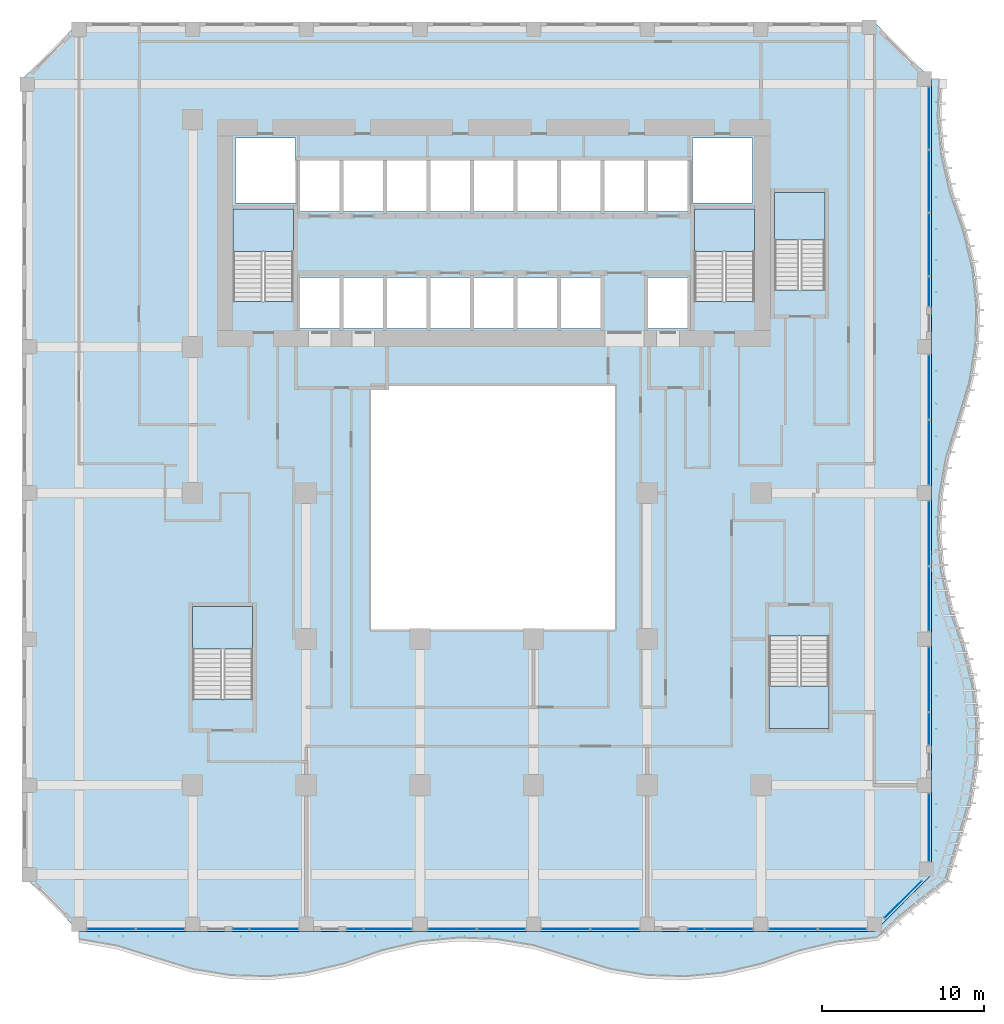
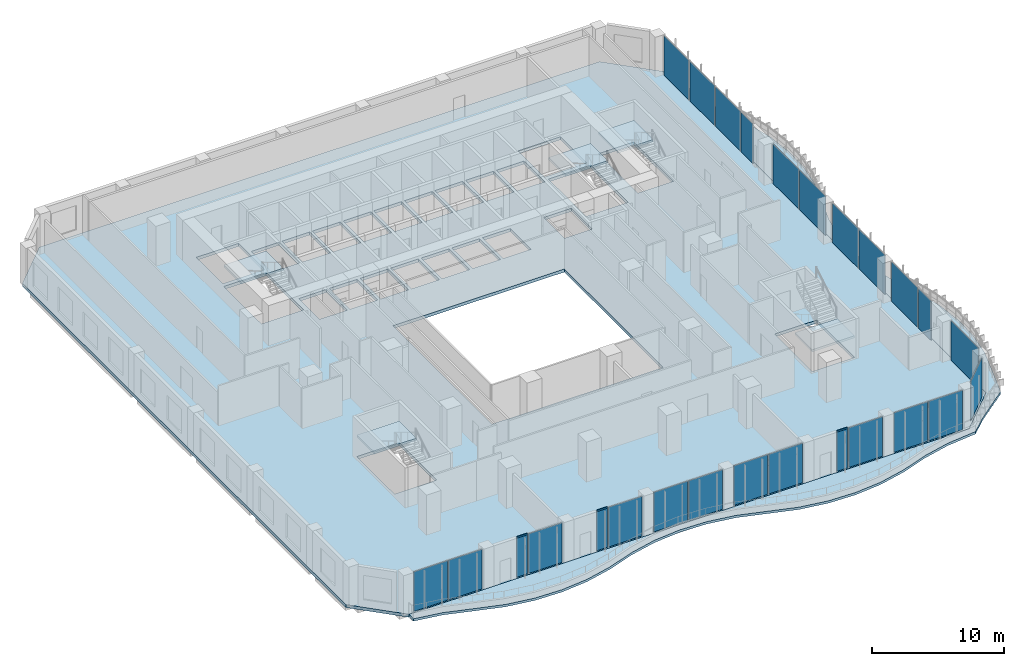
# One storey, part 11 of 27: 26 plates, 7 slabs, 3 members, 31 elements without a shape of their own.
"""IFC4 building model written with IfcOpenShell, lengths in metres."""

from ifc_helpers import new_model, si_unit, direction, frame, origin, origin_2d, place, context, subcontext, project, spatial, polyline, rectangle, outline, extrude, source, transform, mapped, material, layer, layer_set, material_profile, profile_set, type_object, element, aggregate, save


model = new_model("IFC4")

# Units and contexts
model_context = context("Model", 3, precision=1e-05, world=origin(), true_north=direction((0.0, 1.0)))
body_context = subcontext(model_context, "Body", "Model", "MODEL_VIEW")
ifc_project = project(units=[si_unit("LENGTHUNIT", "METRE"), si_unit("AREAUNIT", "SQUARE_METRE"), si_unit("VOLUMEUNIT", "CUBIC_METRE"), si_unit("PLANEANGLEUNIT", "RADIAN"), si_unit("MASSUNIT", "GRAM", prefix="KILO")], contexts=[model_context])

# Site, building, storey
site_placement = place(None, origin())
site = spatial("IfcSite", under=ifc_project, at=site_placement, CompositionType="ELEMENT")
building_placement = place(site_placement, origin())
building = spatial("IfcBuilding", under=site, at=building_placement, Name="Kilnfold Tower and Market Hall", CompositionType="ELEMENT")
storey_placement = place(building_placement, frame((0.0, 0.0, 43.0)))
storey = spatial("IfcBuildingStorey", under=building, at=storey_placement, Name="L09", CompositionType="ELEMENT", Elevation=43.0)

# Curtain wall, member
ifc_material_1 = material(Name="Aluminium and double glazing", Category="aluminium")
curtain_wall_type = type_object("IfcCurtainWallType", Name="CW OF1 VALLEY GLAZING", PredefinedType="NOTDEFINED", material=ifc_material_1)
curtain_wall_1_placement = place(storey_placement, origin())
curtain_wall_1 = element("IfcCurtainWall", 1, at=curtain_wall_1_placement, inside=storey, type_object=curtain_wall_type, Name="Curtain wall CW1 L09 S", PredefinedType="NOTDEFINED")
ifc_material_2 = material(Name="Aluminium", Category="aluminium")
ifc_material_profile = material_profile(ifc_material_2, rectangle(XDim=0.06005859375, YDim=0.139892578125, at=origin_2d()), Name="TRANSOM 60x140")
ifc_profile_set = profile_set([ifc_material_profile], Name="Aluminium")
member_type = type_object("IfcMemberType", Name="TRANSOM 60X140", PredefinedType="USERDEFINED", material=ifc_profile_set)
shared_shape_1 = source(origin(), body_context, "Body", "SweptSolid", [
    extrude(rectangle(XDim=0.06005859375, YDim=0.139892578125, at=origin_2d()), origin(), (0.0, 0.0, 1.0), 0.929931640625),
])
member_1_placement = place(storey_placement, frame((-14.989990234375, -27.85009765625, 3.68994140625), z_axis=(1.0, 0.0, 0.0), x_axis=(0.0, 1.0, 0.0)))
member_1 = element("IfcMember", 2, at=member_1_placement, type_object=member_type, Name="CW1 transom 1.2", ObjectType="TRANSOM", PredefinedType="USERDEFINED", context=body_context, shape_type="MappedRepresentation", body=[
    mapped(shared_shape_1, transform((0.0, 0.0, 0.0))),
])

curtain_wall_2_placement = place(storey_placement, origin())
curtain_wall_2 = element("IfcCurtainWall", 3, at=curtain_wall_2_placement, inside=storey, type_object=curtain_wall_type, Name="Curtain wall CW1 L09 S", PredefinedType="NOTDEFINED")
member_2_placement = place(storey_placement, frame((-7.989990234375, -27.85009765625, 3.68994140625), z_axis=(1.0, 0.0, 0.0), x_axis=(0.0, 1.0, 0.0)))
member_2 = element("IfcMember", 4, at=member_2_placement, type_object=member_type, Name="CW1 transom 1.2", ObjectType="TRANSOM", PredefinedType="USERDEFINED", context=body_context, shape_type="MappedRepresentation", body=[
    mapped(shared_shape_1, transform((0.0, 0.0, 0.0))),
])

curtain_wall_3_placement = place(storey_placement, origin())
curtain_wall_3 = element("IfcCurtainWall", 5, at=curtain_wall_3_placement, inside=storey, type_object=curtain_wall_type, Name="Curtain wall CW1 L09 S", PredefinedType="NOTDEFINED")
member_3_placement = place(storey_placement, frame((13.010009765625, -27.85009765625, 3.68994140625), z_axis=(1.0, 0.0, 0.0), x_axis=(0.0, 1.0, 0.0)))
member_3 = element("IfcMember", 6, at=member_3_placement, type_object=member_type, Name="CW1 transom 1.2", ObjectType="TRANSOM", PredefinedType="USERDEFINED", context=body_context, shape_type="MappedRepresentation", body=[
    mapped(shared_shape_1, transform((0.0, 0.0, 0.0))),
])

# Slab
ifc_material_3 = material(Name="Concrete C45", Category="concrete")
ifc_layer_1 = layer(ifc_material_3, 0.280029296875)
ifc_layer_set_1 = layer_set([ifc_layer_1], Name="Concrete C45")
slab_type_1 = type_object("IfcSlabType", Name="FLOOR SLAB 280", PredefinedType="FLOOR", material=ifc_layer_set_1)
shared_shape_2 = source(origin(), body_context, "Body", "SweptSolid", [
    extrude(outline(polyline([(-24.5, -28.0), (24.5, -28.0), (28.0, -24.5), (28.0, 24.5), (24.5, 28.0), (-24.5, 28.0), (-28.0, 24.5), (-28.0, -24.5), (-24.5, -28.0)]), holes=[polyline([(-13.800537109375, -13.699462890625), (-17.49951171875, -13.699462890625), (-17.49951171875, -8.00048828125), (-13.800537109375, -8.00048828125), (-13.800537109375, -13.699462890625)]), polyline([(-11.300537109375, 10.800537109375), (-14.99951171875, 10.800537109375), (-14.99951171875, 16.49951171875), (-11.300537109375, 16.49951171875), (-11.300537109375, 10.800537109375)]), polyline([(-11.175048828125, 16.875), (-14.875, 16.875), (-14.875, 20.875), (-11.175048828125, 20.875), (-11.175048828125, 16.875)]), polyline([(-10.885009765625, 9.125), (-10.885009765625, 12.27490234375), (-8.455078125, 12.27490234375), (-8.455078125, 9.125), (-10.885009765625, 9.125)]), polyline([(-10.885009765625, 16.324951171875), (-10.885009765625, 19.47509765625), (-8.455078125, 19.47509765625), (-8.455078125, 16.324951171875), (-10.885009765625, 16.324951171875)]), polyline([(-5.77490234375, 9.125), (-8.205078125, 9.125), (-8.205078125, 12.27490234375), (-5.77490234375, 12.27490234375), (-5.77490234375, 9.125)]), polyline([(-8.205078125, 16.324951171875), (-8.205078125, 19.47509765625), (-5.77490234375, 19.47509765625), (-5.77490234375, 16.324951171875), (-8.205078125, 16.324951171875)]), polyline([(-6.5, -9.39990234375), (-6.5, 5.60009765625), (8.5, 5.60009765625), (8.5, -9.39990234375), (-6.5, -9.39990234375)]), polyline([(-5.52490234375, 9.125), (-5.52490234375, 12.27490234375), (-3.094970703125, 12.27490234375), (-3.094970703125, 9.125), (-5.52490234375, 9.125)]), polyline([(-3.094970703125, 16.324951171875), (-5.52490234375, 16.324951171875), (-5.52490234375, 19.47509765625), (-3.094970703125, 19.47509765625), (-3.094970703125, 16.324951171875)]), polyline([(-2.844970703125, 9.125), (-2.844970703125, 12.27490234375), (-0.4150390625, 12.27490234375), (-0.4150390625, 9.125), (-2.844970703125, 9.125)]), polyline([(-2.844970703125, 16.324951171875), (-2.844970703125, 19.47509765625), (-0.4150390625, 19.47509765625), (-0.4150390625, 16.324951171875), (-2.844970703125, 16.324951171875)]), polyline([(-0.1650390625, 9.125), (-0.1650390625, 12.27490234375), (2.264892578125, 12.27490234375), (2.264892578125, 9.125), (-0.1650390625, 9.125)]), polyline([(-0.1650390625, 16.324951171875), (-0.1650390625, 19.47509765625), (2.264892578125, 19.47509765625), (2.264892578125, 16.324951171875), (-0.1650390625, 16.324951171875)]), polyline([(4.945068359375, 9.125), (2.514892578125, 9.125), (2.514892578125, 12.27490234375), (4.945068359375, 12.27490234375), (4.945068359375, 9.125)]), polyline([(2.514892578125, 16.324951171875), (2.514892578125, 19.47509765625), (4.945068359375, 19.47509765625), (4.945068359375, 16.324951171875), (2.514892578125, 16.324951171875)]), polyline([(5.195068359375, 9.125), (5.195068359375, 12.27490234375), (7.625, 12.27490234375), (7.625, 9.125), (5.195068359375, 9.125)]), polyline([(5.195068359375, 16.324951171875), (5.195068359375, 19.47509765625), (7.625, 19.47509765625), (7.625, 16.324951171875), (5.195068359375, 16.324951171875)]), polyline([(7.875, 16.324951171875), (7.875, 19.47509765625), (10.304931640625, 19.47509765625), (10.304931640625, 16.324951171875), (7.875, 16.324951171875)]), polyline([(10.554931640625, 9.125), (10.554931640625, 12.27490234375), (12.985107421875, 12.27490234375), (12.985107421875, 9.125), (10.554931640625, 9.125)]), polyline([(10.554931640625, 16.324951171875), (10.554931640625, 19.47509765625), (12.985107421875, 19.47509765625), (12.985107421875, 16.324951171875), (10.554931640625, 16.324951171875)]), polyline([(13.27490234375, 16.875), (13.27490234375, 20.875), (16.97509765625, 20.875), (16.97509765625, 16.875), (13.27490234375, 16.875)]), polyline([(17.099609375, 10.800537109375), (13.400390625, 10.800537109375), (13.400390625, 16.49951171875), (17.099609375, 16.49951171875), (17.099609375, 10.800537109375)]), polyline([(21.699462890625, -9.800537109375), (21.699462890625, -15.49951171875), (18.00048828125, -15.49951171875), (18.00048828125, -9.800537109375), (21.699462890625, -9.800537109375)]), polyline([(18.3505859375, 11.50048828125), (18.3505859375, 17.49951171875), (21.449462890625, 17.49951171875), (21.449462890625, 11.50048828125), (18.3505859375, 11.50048828125)])]), origin(), (0.0, 0.0, 1.0), 0.280029296875),
])
slab_1_placement = place(storey_placement, frame((0.0, 0.0, -0.280029296875)))
element("IfcSlab", 7, at=slab_1_placement, inside=storey, type_object=slab_type_1, Name="Floor slab L09", PredefinedType="FLOOR", context=body_context, shape_type="MappedRepresentation", body=[
    mapped(shared_shape_2, transform((0.0, 0.0, 0.0))),
])

# Plate
ifc_material_4 = material(Name="Double glazed unit")
ifc_layer_2 = layer(ifc_material_4, 0.031982421875)
ifc_layer_set_2 = layer_set([ifc_layer_2], Name="Double glazed unit")
plate_type = type_object("IfcPlateType", Name="GLAZING PANEL 32", PredefinedType="CURTAIN_PANEL", material=ifc_layer_set_2)
shared_shape_3 = source(origin(), body_context, "Body", "SweptSolid", [
    extrude(rectangle(XDim=0.929931640625, YDim=0.031982421875, at=origin_2d()), origin(), (0.0, 0.0, 1.0), 3.659912109375),
])
plate_1_placement = place(storey_placement, frame((-14.52490234375, -27.85009765625, 0.0), z_axis=(0.0, 0.0, 1.0), x_axis=(1.0, 0.0, 0.0)))
plate_1 = element("IfcPlate", 8, at=plate_1_placement, type_object=plate_type, Name="CW1 panel 1.1", PredefinedType="CURTAIN_PANEL", context=body_context, shape_type="MappedRepresentation", body=[
    mapped(shared_shape_3, transform((0.0, 0.0, 0.0))),
])

aggregate(curtain_wall_1, [member_1, plate_1])

plate_2_placement = place(storey_placement, frame((-7.52490234375, -27.85009765625, 0.0), z_axis=(0.0, 0.0, 1.0), x_axis=(1.0, 0.0, 0.0)))
plate_2 = element("IfcPlate", 9, at=plate_2_placement, type_object=plate_type, Name="CW1 panel 1.1", PredefinedType="CURTAIN_PANEL", context=body_context, shape_type="MappedRepresentation", body=[
    mapped(shared_shape_3, transform((0.0, 0.0, 0.0))),
])

aggregate(curtain_wall_2, [member_2, plate_2])

plate_3_placement = place(storey_placement, frame((13.47509765625, -27.85009765625, 0.0), z_axis=(0.0, 0.0, 1.0), x_axis=(1.0, 0.0, 0.0)))
plate_3 = element("IfcPlate", 10, at=plate_3_placement, type_object=plate_type, Name="CW1 panel 1.1", PredefinedType="CURTAIN_PANEL", context=body_context, shape_type="MappedRepresentation", body=[
    mapped(shared_shape_3, transform((0.0, 0.0, 0.0))),
])

aggregate(curtain_wall_3, [member_3, plate_3])

# Curtain wall, plate
curtain_wall_4_placement = place(storey_placement, origin())
curtain_wall_4 = element("IfcCurtainWall", 11, at=curtain_wall_4_placement, inside=storey, type_object=curtain_wall_type, Name="Curtain wall CW1 L09 S", PredefinedType="NOTDEFINED")
shared_shape_4 = source(origin(), body_context, "Body", "SweptSolid", [
    extrude(rectangle(XDim=2.929931640625, YDim=0.031982421875, at=origin_2d()), origin(), (0.0, 0.0, 1.0), 3.659912109375),
])
plate_4_placement = place(storey_placement, frame((-22.52490234375, -27.85009765625, 0.0), z_axis=(0.0, 0.0, 1.0), x_axis=(1.0, 0.0, 0.0)))
plate_4 = element("IfcPlate", 12, at=plate_4_placement, type_object=plate_type, Name="CW1 panel 1.1", PredefinedType="CURTAIN_PANEL", context=body_context, shape_type="MappedRepresentation", body=[
    mapped(shared_shape_4, transform((0.0, 0.0, 0.0))),
])
aggregate(curtain_wall_4, [plate_4])

curtain_wall_5_placement = place(storey_placement, origin())
curtain_wall_5 = element("IfcCurtainWall", 13, at=curtain_wall_5_placement, inside=storey, type_object=curtain_wall_type, Name="Curtain wall CW1 L09 S", PredefinedType="NOTDEFINED")
plate_5_placement = place(storey_placement, frame((-19.47509765625, -27.85009765625, 0.0), z_axis=(0.0, 0.0, 1.0), x_axis=(1.0, 0.0, 0.0)))
plate_5 = element("IfcPlate", 14, at=plate_5_placement, type_object=plate_type, Name="CW1 panel 1.1", PredefinedType="CURTAIN_PANEL", context=body_context, shape_type="MappedRepresentation", body=[
    mapped(shared_shape_4, transform((0.0, 0.0, 0.0))),
])
aggregate(curtain_wall_5, [plate_5])

curtain_wall_6_placement = place(storey_placement, origin())
curtain_wall_6 = element("IfcCurtainWall", 15, at=curtain_wall_6_placement, inside=storey, type_object=curtain_wall_type, Name="Curtain wall CW1 L09 S", PredefinedType="NOTDEFINED")
plate_6_placement = place(storey_placement, frame((-12.47509765625, -27.85009765625, 0.0), z_axis=(0.0, 0.0, 1.0), x_axis=(1.0, 0.0, 0.0)))
plate_6 = element("IfcPlate", 16, at=plate_6_placement, type_object=plate_type, Name="CW1 panel 1.1", PredefinedType="CURTAIN_PANEL", context=body_context, shape_type="MappedRepresentation", body=[
    mapped(shared_shape_4, transform((0.0, 0.0, 0.0))),
])
aggregate(curtain_wall_6, [plate_6])

curtain_wall_7_placement = place(storey_placement, origin())
curtain_wall_7 = element("IfcCurtainWall", 17, at=curtain_wall_7_placement, inside=storey, type_object=curtain_wall_type, Name="Curtain wall CW1 L09 S", PredefinedType="NOTDEFINED")
plate_7_placement = place(storey_placement, frame((-5.47509765625, -27.85009765625, 0.0), z_axis=(0.0, 0.0, 1.0), x_axis=(1.0, 0.0, 0.0)))
plate_7 = element("IfcPlate", 18, at=plate_7_placement, type_object=plate_type, Name="CW1 panel 1.1", PredefinedType="CURTAIN_PANEL", context=body_context, shape_type="MappedRepresentation", body=[
    mapped(shared_shape_4, transform((0.0, 0.0, 0.0))),
])
aggregate(curtain_wall_7, [plate_7])

curtain_wall_8_placement = place(storey_placement, origin())
curtain_wall_8 = element("IfcCurtainWall", 19, at=curtain_wall_8_placement, inside=storey, type_object=curtain_wall_type, Name="Curtain wall CW1 L09 S", PredefinedType="NOTDEFINED")
plate_8_placement = place(storey_placement, frame((-1.52490234375, -27.85009765625, 0.0), z_axis=(0.0, 0.0, 1.0), x_axis=(1.0, 0.0, 0.0)))
plate_8 = element("IfcPlate", 20, at=plate_8_placement, type_object=plate_type, Name="CW1 panel 1.1", PredefinedType="CURTAIN_PANEL", context=body_context, shape_type="MappedRepresentation", body=[
    mapped(shared_shape_4, transform((0.0, 0.0, 0.0))),
])
aggregate(curtain_wall_8, [plate_8])

curtain_wall_9_placement = place(storey_placement, origin())
curtain_wall_9 = element("IfcCurtainWall", 21, at=curtain_wall_9_placement, inside=storey, type_object=curtain_wall_type, Name="Curtain wall CW1 L09 S", PredefinedType="NOTDEFINED")
plate_9_placement = place(storey_placement, frame((1.52490234375, -27.85009765625, 0.0), z_axis=(0.0, 0.0, 1.0), x_axis=(1.0, 0.0, 0.0)))
plate_9 = element("IfcPlate", 22, at=plate_9_placement, type_object=plate_type, Name="CW1 panel 1.1", PredefinedType="CURTAIN_PANEL", context=body_context, shape_type="MappedRepresentation", body=[
    mapped(shared_shape_4, transform((0.0, 0.0, 0.0))),
])
aggregate(curtain_wall_9, [plate_9])

curtain_wall_10_placement = place(storey_placement, origin())
curtain_wall_10 = element("IfcCurtainWall", 23, at=curtain_wall_10_placement, inside=storey, type_object=curtain_wall_type, Name="Curtain wall CW1 L09 S", PredefinedType="NOTDEFINED")
plate_10_placement = place(storey_placement, frame((5.47509765625, -27.85009765625, 0.0), z_axis=(0.0, 0.0, 1.0), x_axis=(1.0, 0.0, 0.0)))
plate_10 = element("IfcPlate", 24, at=plate_10_placement, type_object=plate_type, Name="CW1 panel 1.1", PredefinedType="CURTAIN_PANEL", context=body_context, shape_type="MappedRepresentation", body=[
    mapped(shared_shape_4, transform((0.0, 0.0, 0.0))),
])
aggregate(curtain_wall_10, [plate_10])

curtain_wall_11_placement = place(storey_placement, origin())
curtain_wall_11 = element("IfcCurtainWall", 25, at=curtain_wall_11_placement, inside=storey, type_object=curtain_wall_type, Name="Curtain wall CW1 L09 S", PredefinedType="NOTDEFINED")
plate_11_placement = place(storey_placement, frame((8.52490234375, -27.85009765625, 0.0), z_axis=(0.0, 0.0, 1.0), x_axis=(1.0, 0.0, 0.0)))
plate_11 = element("IfcPlate", 26, at=plate_11_placement, type_object=plate_type, Name="CW1 panel 1.1", PredefinedType="CURTAIN_PANEL", context=body_context, shape_type="MappedRepresentation", body=[
    mapped(shared_shape_4, transform((0.0, 0.0, 0.0))),
])
aggregate(curtain_wall_11, [plate_11])

curtain_wall_12_placement = place(storey_placement, origin())
curtain_wall_12 = element("IfcCurtainWall", 27, at=curtain_wall_12_placement, inside=storey, type_object=curtain_wall_type, Name="Curtain wall CW1 L09 S", PredefinedType="NOTDEFINED")
plate_12_placement = place(storey_placement, frame((15.52490234375, -27.85009765625, 0.0), z_axis=(0.0, 0.0, 1.0), x_axis=(1.0, 0.0, 0.0)))
plate_12 = element("IfcPlate", 28, at=plate_12_placement, type_object=plate_type, Name="CW1 panel 1.1", PredefinedType="CURTAIN_PANEL", context=body_context, shape_type="MappedRepresentation", body=[
    mapped(shared_shape_4, transform((0.0, 0.0, 0.0))),
])
aggregate(curtain_wall_12, [plate_12])

curtain_wall_13_placement = place(storey_placement, origin())
curtain_wall_13 = element("IfcCurtainWall", 29, at=curtain_wall_13_placement, inside=storey, type_object=curtain_wall_type, Name="Curtain wall CW1 L09 S", PredefinedType="NOTDEFINED")
plate_13_placement = place(storey_placement, frame((19.47509765625, -27.85009765625, 0.0), z_axis=(0.0, 0.0, 1.0), x_axis=(1.0, 0.0, 0.0)))
plate_13 = element("IfcPlate", 30, at=plate_13_placement, type_object=plate_type, Name="CW1 panel 1.1", PredefinedType="CURTAIN_PANEL", context=body_context, shape_type="MappedRepresentation", body=[
    mapped(shared_shape_4, transform((0.0, 0.0, 0.0))),
])
aggregate(curtain_wall_13, [plate_13])

curtain_wall_14_placement = place(storey_placement, origin())
curtain_wall_14 = element("IfcCurtainWall", 31, at=curtain_wall_14_placement, inside=storey, type_object=curtain_wall_type, Name="Curtain wall CW1 L09 S", PredefinedType="NOTDEFINED")
plate_14_placement = place(storey_placement, frame((22.52490234375, -27.85009765625, 0.0), z_axis=(0.0, 0.0, 1.0), x_axis=(1.0, 0.0, 0.0)))
plate_14 = element("IfcPlate", 32, at=plate_14_placement, type_object=plate_type, Name="CW1 panel 1.1", PredefinedType="CURTAIN_PANEL", context=body_context, shape_type="MappedRepresentation", body=[
    mapped(shared_shape_4, transform((0.0, 0.0, 0.0))),
])
aggregate(curtain_wall_14, [plate_14])

curtain_wall_15_placement = place(storey_placement, origin())
curtain_wall_15 = element("IfcCurtainWall", 33, at=curtain_wall_15_placement, inside=storey, type_object=curtain_wall_type, Name="Curtain wall CW1 L09 E", PredefinedType="NOTDEFINED")
shared_shape_5 = source(origin(), body_context, "Body", "SweptSolid", [
    extrude(rectangle(XDim=3.929931640625, YDim=0.031982421875, at=origin_2d()), origin(), (0.0, 0.0, 1.0), 3.659912109375),
])
plate_15_placement = place(storey_placement, frame((27.85009765625, -12.47509765625, 0.0), z_axis=(0.0, 0.0, 1.0), x_axis=(0.0, 1.0, 0.0)))
plate_15 = element("IfcPlate", 34, at=plate_15_placement, type_object=plate_type, Name="CW1 panel 1.1", PredefinedType="CURTAIN_PANEL", context=body_context, shape_type="MappedRepresentation", body=[
    mapped(shared_shape_5, transform((0.0, 0.0, 0.0))),
])
aggregate(curtain_wall_15, [plate_15])

curtain_wall_16_placement = place(storey_placement, origin())
curtain_wall_16 = element("IfcCurtainWall", 35, at=curtain_wall_16_placement, inside=storey, type_object=curtain_wall_type, Name="Curtain wall CW1 L09 E", PredefinedType="NOTDEFINED")
plate_16_placement = place(storey_placement, frame((27.85009765625, -7.52490234375, 0.0), z_axis=(0.0, 0.0, 1.0), x_axis=(0.0, 1.0, 0.0)))
plate_16 = element("IfcPlate", 36, at=plate_16_placement, type_object=plate_type, Name="CW1 panel 1.1", PredefinedType="CURTAIN_PANEL", context=body_context, shape_type="MappedRepresentation", body=[
    mapped(shared_shape_5, transform((0.0, 0.0, 0.0))),
])
aggregate(curtain_wall_16, [plate_16])

curtain_wall_17_placement = place(storey_placement, origin())
curtain_wall_17 = element("IfcCurtainWall", 37, at=curtain_wall_17_placement, inside=storey, type_object=curtain_wall_type, Name="Curtain wall CW1 L09 E", PredefinedType="NOTDEFINED")
plate_17_placement = place(storey_placement, frame((27.85009765625, -3.47509765625, 0.0), z_axis=(0.0, 0.0, 1.0), x_axis=(0.0, 1.0, 0.0)))
plate_17 = element("IfcPlate", 38, at=plate_17_placement, type_object=plate_type, Name="CW1 panel 1.1", PredefinedType="CURTAIN_PANEL", context=body_context, shape_type="MappedRepresentation", body=[
    mapped(shared_shape_5, transform((0.0, 0.0, 0.0))),
])
aggregate(curtain_wall_17, [plate_17])

curtain_wall_18_placement = place(storey_placement, origin())
curtain_wall_18 = element("IfcCurtainWall", 39, at=curtain_wall_18_placement, inside=storey, type_object=curtain_wall_type, Name="Curtain wall CW1 L09 E", PredefinedType="NOTDEFINED")
plate_18_placement = place(storey_placement, frame((27.85009765625, 1.47509765625, 0.0), z_axis=(0.0, 0.0, 1.0), x_axis=(0.0, 1.0, 0.0)))
plate_18 = element("IfcPlate", 40, at=plate_18_placement, type_object=plate_type, Name="CW1 panel 1.1", PredefinedType="CURTAIN_PANEL", context=body_context, shape_type="MappedRepresentation", body=[
    mapped(shared_shape_5, transform((0.0, 0.0, 0.0))),
])
aggregate(curtain_wall_18, [plate_18])

curtain_wall_19_placement = place(storey_placement, origin())
curtain_wall_19 = element("IfcCurtainWall", 41, at=curtain_wall_19_placement, inside=storey, type_object=curtain_wall_type, Name="Curtain wall CW1 L09 E", PredefinedType="NOTDEFINED")
plate_19_placement = place(storey_placement, frame((27.85009765625, 5.52490234375, 0.0), z_axis=(0.0, 0.0, 1.0), x_axis=(0.0, 1.0, 0.0)))
plate_19 = element("IfcPlate", 42, at=plate_19_placement, type_object=plate_type, Name="CW1 panel 1.1", PredefinedType="CURTAIN_PANEL", context=body_context, shape_type="MappedRepresentation", body=[
    mapped(shared_shape_5, transform((0.0, 0.0, 0.0))),
])
aggregate(curtain_wall_19, [plate_19])

curtain_wall_20_placement = place(storey_placement, origin())
curtain_wall_20 = element("IfcCurtainWall", 43, at=curtain_wall_20_placement, inside=storey, type_object=curtain_wall_type, Name="Curtain wall CW1 L09 E", PredefinedType="NOTDEFINED")
shared_shape_6 = source(origin(), body_context, "Body", "SweptSolid", [
    extrude(rectangle(XDim=1.929931640625, YDim=0.031982421875, at=origin_2d()), origin(), (0.0, 0.0, 1.0), 3.659912109375),
])
plate_20_placement = place(storey_placement, frame((27.85009765625, -15.52490234375, 0.0), z_axis=(0.0, 0.0, 1.0), x_axis=(0.0, 1.0, 0.0)))
plate_20 = element("IfcPlate", 44, at=plate_20_placement, type_object=plate_type, Name="CW1 panel 1.1", PredefinedType="CURTAIN_PANEL", context=body_context, shape_type="MappedRepresentation", body=[
    mapped(shared_shape_6, transform((0.0, 0.0, 0.0))),
])
aggregate(curtain_wall_20, [plate_20])

curtain_wall_21_placement = place(storey_placement, origin())
curtain_wall_21 = element("IfcCurtainWall", 45, at=curtain_wall_21_placement, inside=storey, type_object=curtain_wall_type, Name="Curtain wall CW1 L09 E", PredefinedType="NOTDEFINED")
shared_shape_7 = source(origin(), body_context, "Body", "SweptSolid", [
    extrude(rectangle(XDim=3.780029296875, YDim=0.031982421875, at=origin_2d()), origin(), (0.0, 0.0, 1.0), 3.659912109375),
])
plate_21_placement = place(storey_placement, frame((27.85009765625, 14.300048828125, 0.0), z_axis=(0.0, 0.0, 1.0), x_axis=(0.0, 1.0, 0.0)))
plate_21 = element("IfcPlate", 46, at=plate_21_placement, type_object=plate_type, Name="CW1 panel 1.1", PredefinedType="CURTAIN_PANEL", context=body_context, shape_type="MappedRepresentation", body=[
    mapped(shared_shape_7, transform((0.0, 0.0, 0.0))),
])
aggregate(curtain_wall_21, [plate_21])

curtain_wall_22_placement = place(storey_placement, origin())
curtain_wall_22 = element("IfcCurtainWall", 47, at=curtain_wall_22_placement, inside=storey, type_object=curtain_wall_type, Name="Curtain wall CW1 L09 E", PredefinedType="NOTDEFINED")
plate_22_placement = place(storey_placement, frame((27.85009765625, 18.199951171875, 0.0), z_axis=(0.0, 0.0, 1.0), x_axis=(0.0, 1.0, 0.0)))
plate_22 = element("IfcPlate", 48, at=plate_22_placement, type_object=plate_type, Name="CW1 panel 1.1", PredefinedType="CURTAIN_PANEL", context=body_context, shape_type="MappedRepresentation", body=[
    mapped(shared_shape_7, transform((0.0, 0.0, 0.0))),
])
aggregate(curtain_wall_22, [plate_22])

curtain_wall_23_placement = place(storey_placement, origin())
curtain_wall_23 = element("IfcCurtainWall", 49, at=curtain_wall_23_placement, inside=storey, type_object=curtain_wall_type, Name="Curtain wall CW1 L09 E", PredefinedType="NOTDEFINED")
plate_23_placement = place(storey_placement, frame((27.85009765625, 22.10009765625, 0.0), z_axis=(0.0, 0.0, 1.0), x_axis=(0.0, 1.0, 0.0)))
plate_23 = element("IfcPlate", 50, at=plate_23_placement, type_object=plate_type, Name="CW1 panel 1.1", PredefinedType="CURTAIN_PANEL", context=body_context, shape_type="MappedRepresentation", body=[
    mapped(shared_shape_7, transform((0.0, 0.0, 0.0))),
])
aggregate(curtain_wall_23, [plate_23])

curtain_wall_24_placement = place(storey_placement, origin())
curtain_wall_24 = element("IfcCurtainWall", 51, at=curtain_wall_24_placement, inside=storey, type_object=curtain_wall_type, Name="Curtain wall CW1 L09 E", PredefinedType="NOTDEFINED")
shared_shape_8 = source(origin(), body_context, "Body", "SweptSolid", [
    extrude(rectangle(XDim=1.780029296875, YDim=0.031982421875, at=origin_2d()), origin(), (0.0, 0.0, 1.0), 3.659912109375),
])
plate_24_placement = place(storey_placement, frame((27.85009765625, 11.39990234375, 0.0), z_axis=(0.0, 0.0, 1.0), x_axis=(0.0, 1.0, 0.0)))
plate_24 = element("IfcPlate", 52, at=plate_24_placement, type_object=plate_type, Name="CW1 panel 1.1", PredefinedType="CURTAIN_PANEL", context=body_context, shape_type="MappedRepresentation", body=[
    mapped(shared_shape_8, transform((0.0, 0.0, 0.0))),
])
aggregate(curtain_wall_24, [plate_24])

curtain_wall_25_placement = place(storey_placement, origin())
curtain_wall_25 = element("IfcCurtainWall", 53, at=curtain_wall_25_placement, inside=storey, type_object=curtain_wall_type, Name="Curtain wall CW1 L09 E", PredefinedType="NOTDEFINED")
shared_shape_9 = source(origin(), body_context, "Body", "SweptSolid", [
    extrude(rectangle(XDim=4.161865234375, YDim=0.031982421875, at=origin_2d()), origin(), (0.0, 0.0, 1.0), 3.659912109375),
])
plate_25_placement = place(storey_placement, frame((27.85009765625, -21.5908203125, 0.0), z_axis=(0.0, 0.0, 1.0), x_axis=(0.0, 1.0, 0.0)))
plate_25 = element("IfcPlate", 54, at=plate_25_placement, type_object=plate_type, Name="CW1 panel 1.1", PredefinedType="CURTAIN_PANEL", context=body_context, shape_type="MappedRepresentation", body=[
    mapped(shared_shape_9, transform((0.0, 0.0, 0.0))),
])
aggregate(curtain_wall_25, [plate_25])

curtain_wall_26_placement = place(storey_placement, origin())
curtain_wall_26 = element("IfcCurtainWall", 55, at=curtain_wall_26_placement, inside=storey, type_object=curtain_wall_type, Name="Curtain wall CW1 L09 SE", PredefinedType="NOTDEFINED")
shared_shape_10 = source(origin(), body_context, "Body", "SweptSolid", [
    extrude(rectangle(XDim=3.23876953125, YDim=0.031982421875, at=origin_2d()), origin(), (0.0, 0.0, 1.0), 3.659912109375),
])
plate_26_placement = place(storey_placement, frame((26.25634765625, -26.031494140625, 0.0), z_axis=(0.0, 0.0, 1.0), x_axis=(0.707121667181, 0.707091894879, 0.0)))
plate_26 = element("IfcPlate", 56, at=plate_26_placement, type_object=plate_type, Name="CW1 panel 1.1", PredefinedType="CURTAIN_PANEL", context=body_context, shape_type="MappedRepresentation", body=[
    mapped(shared_shape_10, transform((0.0, 0.0, 0.0))),
])
aggregate(curtain_wall_26, [plate_26])

# Slab
ifc_material_5 = material(Name="Concrete C40/50", Category="concrete")
ifc_layer_3 = layer(ifc_material_5, 0.219970703125)
ifc_layer_set_3 = layer_set([ifc_layer_3], Name="Concrete C40/50")
slab_type_2 = type_object("IfcSlabType", Name="BALCONY SLAB 220", PredefinedType="FLOOR", material=ifc_layer_set_3)
shared_shape_11 = source(origin(), body_context, "Body", "SweptSolid", [
    extrude(outline(polyline([(-24.5, -28.0), (24.5, -28.0), (28.0, -24.5), (28.0, 24.5), (28.69482421875, 24.5), (28.60693359375, 22.166748046875), (28.825439453125, 19.833251953125), (29.362548828125, 17.5), (30.171875, 15.166748046875), (30.7392578125, 12.833251953125), (30.986083984375, 10.5), (30.92578125, 8.166748046875), (30.555419921875, 5.833251953125), (29.85400390625, 3.5), (29.111572265625, 1.166748046875), (28.702392578125, -1.166748046875), (28.60498046875, -3.5), (28.814208984375, -5.833251953125), (29.34130859375, -8.166748046875), (30.1494140625, -10.5), (30.726806640625, -12.833251953125), (30.98291015625, -15.166748046875), (30.93212890625, -17.5), (30.5712890625, -19.833251953125), (29.880615234375, -22.166748046875), (29.04296875, -24.931884765625), (27.39892578125, -26.232421875), (26.111328125, -27.27783203125), (24.73388671875, -28.564697265625), (22.166748046875, -28.848876953125), (19.833251953125, -29.406005859375), (17.5, -30.216064453125), (15.166748046875, -30.762939453125), (12.833251953125, -30.990966796875), (10.5, -30.912353515625), (8.166748046875, -30.5224609375), (3.5, -29.077392578125), (1.166748046875, -28.687744140625), (-1.166748046875, -28.60888671875), (-3.5, -28.8369140625), (-5.833251953125, -29.384033203125), (-8.166748046875, -30.194091796875), (-10.5, -30.751220703125), (-12.833251953125, -30.98876953125), (-15.166748046875, -30.919189453125), (-17.5, -30.5390625), (-19.833251953125, -29.8271484375), (-22.166748046875, -29.09423828125), (-24.5, -28.69482421875), (-24.5, -28.0)])), origin(), (0.0, 0.0, 1.0), 0.219970703125),
])
slab_2_placement = place(storey_placement, frame((0.0, 0.0, -0.219970703125)))
element("IfcSlab", 57, at=slab_2_placement, inside=storey, type_object=slab_type_2, Name="Balcony slab L09", PredefinedType="FLOOR", context=body_context, shape_type="MappedRepresentation", body=[
    mapped(shared_shape_11, transform((0.0, 0.0, 0.0))),
])

# Stair, slab
ifc_material_6 = material(Name="Concrete C40/50", Category="concrete")
stair_type_1 = type_object("IfcStairType", Name="CORE STAIR 1800", PredefinedType="HALF_TURN_STAIR", material=ifc_material_6)
stair_1_placement = place(storey_placement, origin())
stair_1 = element("IfcStair", 58, at=stair_1_placement, inside=storey, type_object=stair_type_1, Name="L09 ST1", PredefinedType="HALF_TURN_STAIR")
ifc_material_7 = material(Name="Concrete C40/50", Category="concrete")
ifc_layer_4 = layer(ifc_material_7, 0.199951171875)
ifc_layer_set_4 = layer_set([ifc_layer_4], Name="Concrete C40/50")
slab_type_3 = type_object("IfcSlabType", Name="CORE STAIR LANDING 200", PredefinedType="LANDING", material=ifc_layer_set_4)
shared_shape_12 = source(origin(), body_context, "Body", "SweptSolid", [
    extrude(outline(polyline([(-11.300048828125, 13.8798828125), (-11.300048828125, 16.5), (-15.0, 16.5), (-15.0, 13.8798828125), (-11.300048828125, 13.8798828125)])), origin(), (0.0, 0.0, 1.0), 0.199951171875),
])
slab_3_placement = place(storey_placement, frame((0.0, 0.0, 1.800048828125)))
slab_3 = element("IfcSlab", 59, at=slab_3_placement, type_object=slab_type_3, Name="ST1 landing 1", PredefinedType="LANDING", context=body_context, shape_type="MappedRepresentation", body=[
    mapped(shared_shape_12, transform((0.0, 0.0, 0.0))),
])
aggregate(stair_1, [slab_3])

stair_2_placement = place(storey_placement, origin())
stair_2 = element("IfcStair", 60, at=stair_2_placement, inside=storey, type_object=stair_type_1, Name="L09 ST2", PredefinedType="HALF_TURN_STAIR")
shared_shape_13 = source(origin(), body_context, "Body", "SweptSolid", [
    extrude(outline(polyline([(17.10009765625, 13.8798828125), (17.10009765625, 16.5), (13.39990234375, 16.5), (13.39990234375, 13.8798828125), (17.10009765625, 13.8798828125)])), origin(), (0.0, 0.0, 1.0), 0.199951171875),
])
slab_4_placement = place(storey_placement, frame((0.0, 0.0, 1.800048828125)))
slab_4 = element("IfcSlab", 61, at=slab_4_placement, type_object=slab_type_3, Name="ST2 landing 1", PredefinedType="LANDING", context=body_context, shape_type="MappedRepresentation", body=[
    mapped(shared_shape_13, transform((0.0, 0.0, 0.0))),
])
aggregate(stair_2, [slab_4])

stair_3_placement = place(storey_placement, origin())
stair_3 = element("IfcStair", 62, at=stair_3_placement, inside=storey, type_object=stair_type_1, Name="L09 ST3", PredefinedType="HALF_TURN_STAIR")
shared_shape_14 = source(origin(), body_context, "Body", "SweptSolid", [
    extrude(outline(polyline([(-13.800048828125, -10.6201171875), (-13.800048828125, -8.0), (-17.5, -8.0), (-17.5, -10.6201171875), (-13.800048828125, -10.6201171875)])), origin(), (0.0, 0.0, 1.0), 0.199951171875),
])
slab_5_placement = place(storey_placement, frame((0.0, 0.0, 1.800048828125)))
slab_5 = element("IfcSlab", 63, at=slab_5_placement, type_object=slab_type_3, Name="ST3 landing 1", PredefinedType="LANDING", context=body_context, shape_type="MappedRepresentation", body=[
    mapped(shared_shape_14, transform((0.0, 0.0, 0.0))),
])
aggregate(stair_3, [slab_5])

stair_4_placement = place(storey_placement, origin())
stair_4 = element("IfcStair", 64, at=stair_4_placement, inside=storey, type_object=stair_type_1, Name="L09 ST4", PredefinedType="HALF_TURN_STAIR")
shared_shape_15 = source(origin(), body_context, "Body", "SweptSolid", [
    extrude(outline(polyline([(18.0, -12.8798828125), (18.0, -15.5), (21.699951171875, -15.5), (21.699951171875, -12.8798828125), (18.0, -12.8798828125)])), origin(), (0.0, 0.0, 1.0), 0.199951171875),
])
slab_6_placement = place(storey_placement, frame((0.0, 0.0, 1.800048828125)))
slab_6 = element("IfcSlab", 65, at=slab_6_placement, type_object=slab_type_3, Name="ST4 landing 1", PredefinedType="LANDING", context=body_context, shape_type="MappedRepresentation", body=[
    mapped(shared_shape_15, transform((0.0, 0.0, 0.0))),
])
aggregate(stair_4, [slab_6])

ifc_material_8 = material(Name="Concrete C40/50", Category="concrete")
stair_type_2 = type_object("IfcStairType", Name="CORE STAIR 1500", PredefinedType="HALF_TURN_STAIR", material=ifc_material_8)
stair_5_placement = place(storey_placement, origin())
stair_5 = element("IfcStair", 66, at=stair_5_placement, inside=storey, type_object=stair_type_2, Name="L09 ST5", PredefinedType="HALF_TURN_STAIR")
shared_shape_16 = source(origin(), body_context, "Body", "SweptSolid", [
    extrude(outline(polyline([(21.449951171875, 14.580078125), (21.449951171875, 17.5), (18.35009765625, 17.5), (18.35009765625, 14.580078125), (21.449951171875, 14.580078125)])), origin(), (0.0, 0.0, 1.0), 0.199951171875),
])
slab_7_placement = place(storey_placement, frame((0.0, 0.0, 1.800048828125)))
slab_7 = element("IfcSlab", 67, at=slab_7_placement, type_object=slab_type_3, Name="ST5 landing 1", PredefinedType="LANDING", context=body_context, shape_type="MappedRepresentation", body=[
    mapped(shared_shape_16, transform((0.0, 0.0, 0.0))),
])
aggregate(stair_5, [slab_7])

save(model, "model.ifc")
